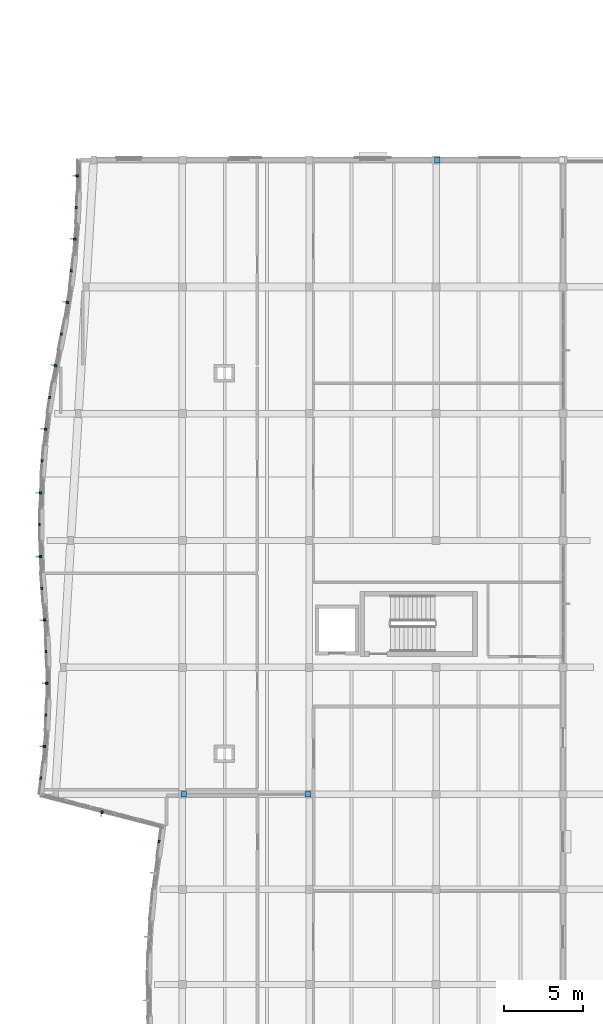
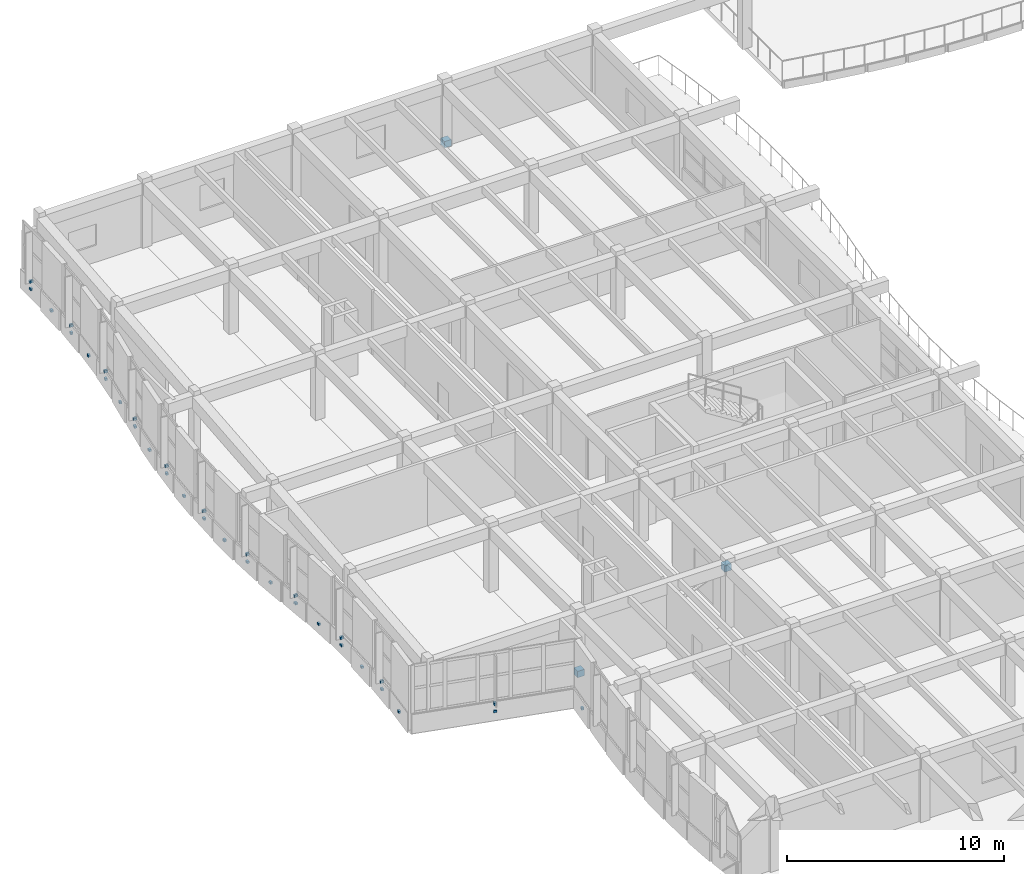
# One storey, part 68 of 89: 36 discrete accessories.
"""IFC4 building model written with IfcOpenShell, lengths in metres."""

from ifc_helpers import new_model, si_unit, direction, frame, origin, origin_2d, place, context, subcontext, project, spatial, rectangle, extrude, material, type_object, element, save


model = new_model("IFC4")

# Units and contexts
model_context = context("Model", 3, precision=1e-05, world=origin(), true_north=direction((0.0, 1.0)))
body_context = subcontext(model_context, "Body", "Model", "MODEL_VIEW")
ifc_project = project(units=[si_unit("LENGTHUNIT", "METRE"), si_unit("AREAUNIT", "SQUARE_METRE"), si_unit("VOLUMEUNIT", "CUBIC_METRE"), si_unit("PLANEANGLEUNIT", "RADIAN"), si_unit("MASSUNIT", "GRAM", prefix="KILO")], contexts=[model_context])

# Site, building, storey
site_placement = place(None, origin())
site = spatial("IfcSite", under=ifc_project, at=site_placement, CompositionType="ELEMENT")
building_placement = place(site_placement, origin())
building = spatial("IfcBuilding", under=site, at=building_placement, Name="Tonlespit Floodbar School", CompositionType="ELEMENT")
storey_placement = place(building_placement, frame((0.0, 0.0, 4.5)))
storey = spatial("IfcBuildingStorey", under=building, at=storey_placement, Name="L01", CompositionType="ELEMENT", Elevation=4.5)

# Discrete accessories
ifc_material_1 = material(Name="Galvanised Steel", Category="steel")
discrete_accessory_type_1 = type_object("IfcDiscreteAccessoryType", Name="Bracket_Facade_S355", PredefinedType="BRACKET", material=ifc_material_1)
for number, where, z_axis, x_axis, name in (
    (1, (10.52734375, 53.021484375, 0.3798828125), (0.0, 0.0, 1.0), (0.134662424626, 0.990891533617, 0.0), "L01 white band support bracket 0521"),
    (2, (6.935791015625, 54.874267578125, 0.35498046875), (0.0, 0.0, 1.0), (-0.967937542799, 0.251190989567, 0.0), "L01 white band support bracket 0522"),
):
    element("IfcDiscreteAccessory", number, at=place(storey_placement, frame(where, z_axis=z_axis, x_axis=x_axis)), inside=storey, type_object=discrete_accessory_type_1, Name=name, PredefinedType="BRACKET", context=body_context, shape_type="SweptSolid", body=[
        extrude(rectangle(XDim=0.159912109375, YDim=0.1201171875, at=origin_2d()), origin(), (0.0, 0.0, 1.0), 0.1201171875),
    ])
discrete_accessory_1_placement = place(storey_placement, frame((6.93310546875, 54.864501953125, 0.7802734375), z_axis=(0.0, 0.0, 1.0), x_axis=(-0.967937542799, 0.251190989567, 0.0)))
element("IfcDiscreteAccessory", 3, at=discrete_accessory_1_placement, inside=storey, type_object=discrete_accessory_type_1, Name="Solar fin support bracket 136", PredefinedType="BRACKET", context=body_context, shape_type="SweptSolid", body=[
    extrude(rectangle(XDim=0.1201171875, YDim=0.179931640625, at=origin_2d()), origin(), (0.0, 0.0, 1.0), 0.139892578125),
])
for number, where, z_axis, x_axis, name in (
    (4, (3.073974609375, 57.018798828125, 0.3798828125), (0.0, 0.0, 1.0), (0.116991411823, 0.99313292643, 0.0), "L01 white band support bracket 0523"),
    (5, (3.30029296875, 59.01025390625, 0.35498046875), (0.0, 0.0, 1.0), (0.079001948152, 0.996874461599, 0.0), "L01 white band support bracket 0524"),
):
    element("IfcDiscreteAccessory", number, at=place(storey_placement, frame(where, z_axis=z_axis, x_axis=x_axis)), inside=storey, type_object=discrete_accessory_type_1, Name=name, PredefinedType="BRACKET", context=body_context, shape_type="SweptSolid", body=[
        extrude(rectangle(XDim=0.159912109375, YDim=0.1201171875, at=origin_2d()), origin(), (0.0, 0.0, 1.0), 0.1201171875),
    ])
discrete_accessory_2_placement = place(storey_placement, frame((3.290283203125, 59.010986328125, 0.7802734375), z_axis=(0.0, 0.0, 1.0), x_axis=(0.079001948152, 0.996874461599, 0.0)))
element("IfcDiscreteAccessory", 6, at=discrete_accessory_2_placement, inside=storey, type_object=discrete_accessory_type_1, Name="Solar fin support bracket 137", PredefinedType="BRACKET", context=body_context, shape_type="SweptSolid", body=[
    extrude(rectangle(XDim=0.1201171875, YDim=0.179931640625, at=origin_2d()), origin(), (0.0, 0.0, 1.0), 0.139892578125),
])
for number, where, z_axis, x_axis, name in (
    (7, (3.389892578125, 61.006591796875, 0.3798828125), (0.0, 0.0, 1.0), (0.040715999914, 0.999170759856, 0.0), "L01 white band support bracket 0525"),
    (8, (3.462890625, 63.000244140625, 0.35498046875), (0.0, 0.0, 1.0), (0.00220085841, 0.999997578108, 0.0), "L01 white band support bracket 0526"),
):
    element("IfcDiscreteAccessory", number, at=place(storey_placement, frame(where, z_axis=z_axis, x_axis=x_axis)), inside=storey, type_object=discrete_accessory_type_1, Name=name, PredefinedType="BRACKET", context=body_context, shape_type="SweptSolid", body=[
        extrude(rectangle(XDim=0.159912109375, YDim=0.1201171875, at=origin_2d()), origin(), (0.0, 0.0, 1.0), 0.1201171875),
    ])
discrete_accessory_3_placement = place(storey_placement, frame((3.452880859375, 63.000244140625, 0.7802734375), z_axis=(0.0, 0.0, 1.0), x_axis=(0.00220085841, 0.999997578108, 0.0)))
element("IfcDiscreteAccessory", 9, at=discrete_accessory_3_placement, inside=storey, type_object=discrete_accessory_type_1, Name="Solar fin support bracket 138", PredefinedType="BRACKET", context=body_context, shape_type="SweptSolid", body=[
    extrude(rectangle(XDim=0.1201171875, YDim=0.179931640625, at=origin_2d()), origin(), (0.0, 0.0, 1.0), 0.139892578125),
])
for number, where, z_axis, x_axis, name in (
    (10, (3.3984375, 64.994140625, 0.3798828125), (0.0, 0.0, 1.0), (-0.036575686496, 0.999330885722, 0.0), "L01 white band support bracket 0527"),
    (11, (3.31640625, 66.990234375, 0.35498046875), (0.0, 0.0, 1.0), (-0.075681836348, 0.997132017161, 0.0), "L01 white band support bracket 0528"),
):
    element("IfcDiscreteAccessory", number, at=place(storey_placement, frame(where, z_axis=z_axis, x_axis=x_axis)), inside=storey, type_object=discrete_accessory_type_1, Name=name, PredefinedType="BRACKET", context=body_context, shape_type="SweptSolid", body=[
        extrude(rectangle(XDim=0.159912109375, YDim=0.1201171875, at=origin_2d()), origin(), (0.0, 0.0, 1.0), 0.1201171875),
    ])
discrete_accessory_4_placement = place(storey_placement, frame((3.306396484375, 66.989501953125, 0.7802734375), z_axis=(0.0, 0.0, 1.0), x_axis=(-0.075681836348, 0.997132017161, 0.0)))
element("IfcDiscreteAccessory", 12, at=discrete_accessory_4_placement, inside=storey, type_object=discrete_accessory_type_1, Name="Solar fin support bracket 139", PredefinedType="BRACKET", context=body_context, shape_type="SweptSolid", body=[
    extrude(rectangle(XDim=0.1201171875, YDim=0.179931640625, at=origin_2d()), origin(), (0.0, 0.0, 1.0), 0.139892578125),
])
for number, where, z_axis, x_axis, name in (
    (13, (3.134521484375, 68.98779296875, 0.3798828125), (0.0, 0.0, 1.0), (-0.075681836348, 0.997132017161, 0.0), "L01 white band support bracket 0529"),
    (14, (3.0517578125, 70.9951171875, 0.35498046875), (0.0, 0.0, 1.0), (-0.036575686496, 0.999330885722, 0.0), "L01 white band support bracket 0530"),
):
    element("IfcDiscreteAccessory", number, at=place(storey_placement, frame(where, z_axis=z_axis, x_axis=x_axis)), inside=storey, type_object=discrete_accessory_type_1, Name=name, PredefinedType="BRACKET", context=body_context, shape_type="SweptSolid", body=[
        extrude(rectangle(XDim=0.159912109375, YDim=0.1201171875, at=origin_2d()), origin(), (0.0, 0.0, 1.0), 0.1201171875),
    ])
discrete_accessory_5_placement = place(storey_placement, frame((3.041748046875, 70.994873046875, 0.7802734375), z_axis=(0.0, 0.0, 1.0), x_axis=(-0.036575686496, 0.999330885722, 0.0)))
element("IfcDiscreteAccessory", 15, at=discrete_accessory_5_placement, inside=storey, type_object=discrete_accessory_type_1, Name="Solar fin support bracket 140", PredefinedType="BRACKET", context=body_context, shape_type="SweptSolid", body=[
    extrude(rectangle(XDim=0.1201171875, YDim=0.179931640625, at=origin_2d()), origin(), (0.0, 0.0, 1.0), 0.139892578125),
])
for number, where, z_axis, x_axis, name in (
    (16, (2.9873046875, 73.00048828125, 0.3798828125), (0.0, 0.0, 1.0), (0.00220085841, 0.999997578108, 0.0), "L01 white band support bracket 0531"),
    (17, (3.060302734375, 75.00537109375, 0.35498046875), (0.0, 0.0, 1.0), (0.040715999914, 0.999170759856, 0.0), "L01 white band support bracket 0532"),
):
    element("IfcDiscreteAccessory", number, at=place(storey_placement, frame(where, z_axis=z_axis, x_axis=x_axis)), inside=storey, type_object=discrete_accessory_type_1, Name=name, PredefinedType="BRACKET", context=body_context, shape_type="SweptSolid", body=[
        extrude(rectangle(XDim=0.159912109375, YDim=0.1201171875, at=origin_2d()), origin(), (0.0, 0.0, 1.0), 0.1201171875),
    ])
discrete_accessory_6_placement = place(storey_placement, frame((3.05029296875, 75.005615234375, 0.7802734375), z_axis=(0.0, 0.0, 1.0), x_axis=(0.040715999914, 0.999170759856, 0.0)))
element("IfcDiscreteAccessory", 18, at=discrete_accessory_6_placement, inside=storey, type_object=discrete_accessory_type_1, Name="Solar fin support bracket 141", PredefinedType="BRACKET", context=body_context, shape_type="SweptSolid", body=[
    extrude(rectangle(XDim=0.1201171875, YDim=0.179931640625, at=origin_2d()), origin(), (0.0, 0.0, 1.0), 0.139892578125),
])
for number, where, z_axis, x_axis, name in (
    (19, (3.150634765625, 77.0126953125, 0.3798828125), (0.0, 0.0, 1.0), (0.079001948152, 0.996874461599, 0.0), "L01 white band support bracket 0533"),
    (20, (3.378173828125, 79.01513671875, 0.35498046875), (0.0, 0.0, 1.0), (0.116991411823, 0.99313292643, 0.0), "L01 white band support bracket 0534"),
):
    element("IfcDiscreteAccessory", number, at=place(storey_placement, frame(where, z_axis=z_axis, x_axis=x_axis)), inside=storey, type_object=discrete_accessory_type_1, Name=name, PredefinedType="BRACKET", context=body_context, shape_type="SweptSolid", body=[
        extrude(rectangle(XDim=0.159912109375, YDim=0.1201171875, at=origin_2d()), origin(), (0.0, 0.0, 1.0), 0.1201171875),
    ])
discrete_accessory_7_placement = place(storey_placement, frame((3.3681640625, 79.016357421875, 0.7802734375), z_axis=(0.0, 0.0, 1.0), x_axis=(0.116991411823, 0.99313292643, 0.0)))
element("IfcDiscreteAccessory", 21, at=discrete_accessory_7_placement, inside=storey, type_object=discrete_accessory_type_1, Name="Solar fin support bracket 142", PredefinedType="BRACKET", context=body_context, shape_type="SweptSolid", body=[
    extrude(rectangle(XDim=0.1201171875, YDim=0.179931640625, at=origin_2d()), origin(), (0.0, 0.0, 1.0), 0.139892578125),
])
for number, where, z_axis, x_axis, name in (
    (22, (3.62353515625, 81.02490234375, 0.3798828125), (0.0, 0.0, 1.0), (0.154713834929, 0.987959325722, 0.0), "L01 white band support bracket 0535"),
    (23, (4.006591796875, 83.02490234375, 0.35498046875), (0.0, 0.0, 1.0), (0.192246217643, 0.98134672354, 0.0), "L01 white band support bracket 0536"),
):
    element("IfcDiscreteAccessory", number, at=place(storey_placement, frame(where, z_axis=z_axis, x_axis=x_axis)), inside=storey, type_object=discrete_accessory_type_1, Name=name, PredefinedType="BRACKET", context=body_context, shape_type="SweptSolid", body=[
        extrude(rectangle(XDim=0.159912109375, YDim=0.1201171875, at=origin_2d()), origin(), (0.0, 0.0, 1.0), 0.1201171875),
    ])
discrete_accessory_8_placement = place(storey_placement, frame((3.99658203125, 83.02685546875, 0.7802734375), z_axis=(0.0, 0.0, 1.0), x_axis=(0.192246217643, 0.98134672354, 0.0)))
element("IfcDiscreteAccessory", 24, at=discrete_accessory_8_placement, inside=storey, type_object=discrete_accessory_type_1, Name="Solar fin support bracket 143", PredefinedType="BRACKET", context=body_context, shape_type="SweptSolid", body=[
    extrude(rectangle(XDim=0.1201171875, YDim=0.179931640625, at=origin_2d()), origin(), (0.0, 0.0, 1.0), 0.139892578125),
])
for number, where, z_axis, x_axis, name in (
    (25, (4.368896484375, 85.03076171875, 0.3798828125), (0.0, 0.0, 1.0), (0.192246217643, 0.98134672354, 0.0), "L01 white band support bracket 0537"),
    (26, (4.75, 87.02001953125, 0.35498046875), (0.0, 0.0, 1.0), (0.154713834929, 0.987959325722, 0.0), "L01 white band support bracket 0538"),
):
    element("IfcDiscreteAccessory", number, at=place(storey_placement, frame(where, z_axis=z_axis, x_axis=x_axis)), inside=storey, type_object=discrete_accessory_type_1, Name=name, PredefinedType="BRACKET", context=body_context, shape_type="SweptSolid", body=[
        extrude(rectangle(XDim=0.159912109375, YDim=0.1201171875, at=origin_2d()), origin(), (0.0, 0.0, 1.0), 0.1201171875),
    ])
discrete_accessory_9_placement = place(storey_placement, frame((4.739990234375, 87.021728515625, 0.7802734375), z_axis=(0.0, 0.0, 1.0), x_axis=(0.154713834929, 0.987959325722, 0.0)))
element("IfcDiscreteAccessory", 27, at=discrete_accessory_9_placement, inside=storey, type_object=discrete_accessory_type_1, Name="Solar fin support bracket 144", PredefinedType="BRACKET", context=body_context, shape_type="SweptSolid", body=[
    extrude(rectangle(XDim=0.1201171875, YDim=0.179931640625, at=origin_2d()), origin(), (0.0, 0.0, 1.0), 0.139892578125),
])
for number, where, z_axis, x_axis, name in (
    (28, (4.993896484375, 89.018798828125, 0.3798828125), (0.0, 0.0, 1.0), (0.116991411823, 0.99313292643, 0.0), "L01 white band support bracket 0539"),
    (29, (5.22021484375, 91.01025390625, 0.35498046875), (0.0, 0.0, 1.0), (0.079001948152, 0.996874461599, 0.0), "L01 white band support bracket 0540"),
):
    element("IfcDiscreteAccessory", number, at=place(storey_placement, frame(where, z_axis=z_axis, x_axis=x_axis)), inside=storey, type_object=discrete_accessory_type_1, Name=name, PredefinedType="BRACKET", context=body_context, shape_type="SweptSolid", body=[
        extrude(rectangle(XDim=0.159912109375, YDim=0.1201171875, at=origin_2d()), origin(), (0.0, 0.0, 1.0), 0.1201171875),
    ])
discrete_accessory_10_placement = place(storey_placement, frame((5.210205078125, 91.010986328125, 0.7802734375), z_axis=(0.0, 0.0, 1.0), x_axis=(0.079001948152, 0.996874461599, 0.0)))
element("IfcDiscreteAccessory", 30, at=discrete_accessory_10_placement, inside=storey, type_object=discrete_accessory_type_1, Name="Solar fin support bracket 145", PredefinedType="BRACKET", context=body_context, shape_type="SweptSolid", body=[
    extrude(rectangle(XDim=0.1201171875, YDim=0.179931640625, at=origin_2d()), origin(), (0.0, 0.0, 1.0), 0.139892578125),
])
for number, where, z_axis, x_axis, name in (
    (31, (5.31005859375, 93.006591796875, 0.3798828125), (0.0, 0.0, 1.0), (0.040715999914, 0.999170759856, 0.0), "L01 white band support bracket 0541"),
    (32, (5.3828125, 95.000244140625, 0.35498046875), (0.0, 0.0, 1.0), (0.00220085841, 0.999997578108, 0.0), "L01 white band support bracket 0542"),
):
    element("IfcDiscreteAccessory", number, at=place(storey_placement, frame(where, z_axis=z_axis, x_axis=x_axis)), inside=storey, type_object=discrete_accessory_type_1, Name=name, PredefinedType="BRACKET", context=body_context, shape_type="SweptSolid", body=[
        extrude(rectangle(XDim=0.159912109375, YDim=0.1201171875, at=origin_2d()), origin(), (0.0, 0.0, 1.0), 0.1201171875),
    ])
discrete_accessory_11_placement = place(storey_placement, frame((5.372802734375, 95.000244140625, 0.7802734375), z_axis=(0.0, 0.0, 1.0), x_axis=(0.00220085841, 0.999997578108, 0.0)))
element("IfcDiscreteAccessory", 33, at=discrete_accessory_11_placement, inside=storey, type_object=discrete_accessory_type_1, Name="Solar fin support bracket 146", PredefinedType="BRACKET", context=body_context, shape_type="SweptSolid", body=[
    extrude(rectangle(XDim=0.1201171875, YDim=0.179931640625, at=origin_2d()), origin(), (0.0, 0.0, 1.0), 0.139892578125),
])
ifc_material_2 = material(Name="Steel S355", Category="steel")
discrete_accessory_type_2 = type_object("IfcDiscreteAccessoryType", Name="GussetShoe_Brace_S355", PredefinedType="SHOE", material=ifc_material_2)
for number, where, z_axis, x_axis, name in (
    (34, (12.080078125, 56.0, -0.0302734375), (0.0, 0.0, 1.0), (1.0, 0.0, 0.0), "L01 brace and chord end gusset shoe 0021"),
    (35, (19.919921875, 56.0, 3.169921875), (0.0, 0.0, 1.0), (1.0, 0.0, 0.0), "L01 brace and chord end gusset shoe 0022"),
    (36, (28.080078125, 96.0, -0.0302734375), (0.0, 0.0, 1.0), (1.0, 0.0, 0.0), "L01 brace and chord end gusset shoe 0029"),
):
    element("IfcDiscreteAccessory", number, at=place(storey_placement, frame(where, z_axis=z_axis, x_axis=x_axis)), inside=storey, type_object=discrete_accessory_type_2, Name=name, PredefinedType="SHOE", context=body_context, shape_type="SweptSolid", body=[
        extrude(rectangle(XDim=0.360107421875, YDim=0.360107421875, at=origin_2d()), origin(), (0.0, 0.0, 1.0), 0.360107421875),
    ])

save(model, "model.ifc")
